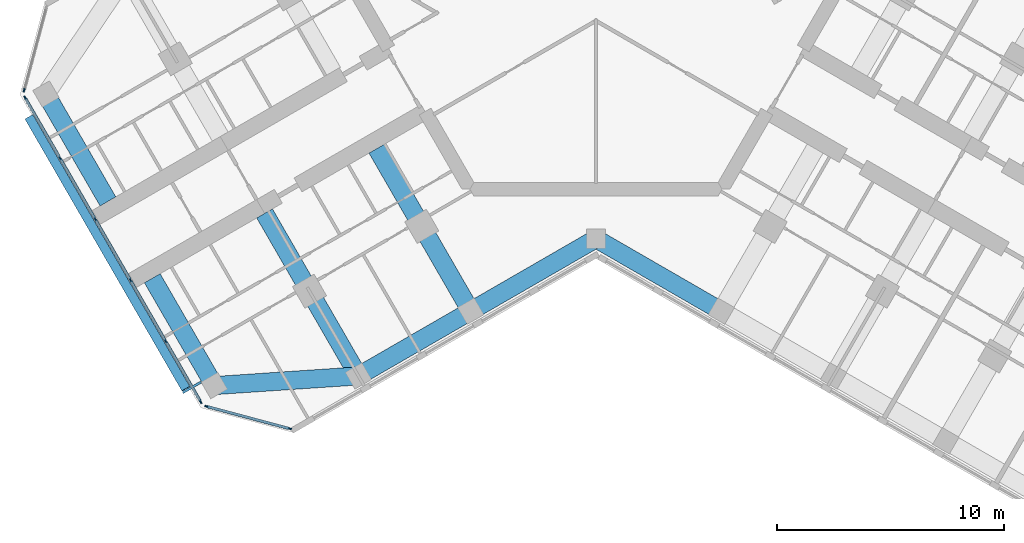
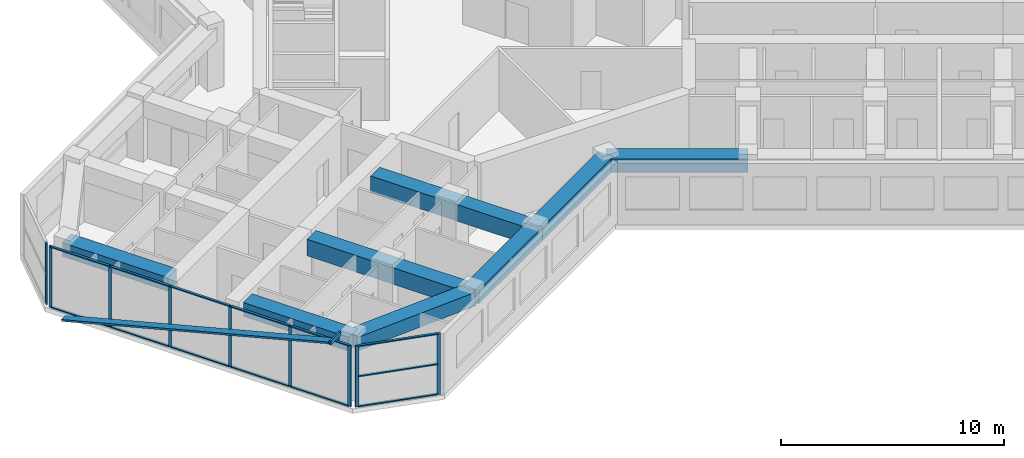
# One storey, part 2 of 16: 24 members, 8 beams, 3 elements without a shape of their own.
"""IFC4 building model written with IfcOpenShell, lengths in metres."""

from ifc_helpers import new_model, si_unit, direction, frame, origin, origin_2d, place, context, subcontext, project, spatial, rectangle, hollow_rectangle, extrude, material, material_profile, profile_set, type_object, element, aggregate, save


model = new_model("IFC4")

# Units and contexts
model_context = context("Model", 3, precision=1e-05, world=origin(), true_north=direction((0.0, 1.0)))
body_context = subcontext(model_context, "Body", "Model", "MODEL_VIEW")
ifc_project = project(units=[si_unit("LENGTHUNIT", "METRE"), si_unit("AREAUNIT", "SQUARE_METRE"), si_unit("VOLUMEUNIT", "CUBIC_METRE"), si_unit("PLANEANGLEUNIT", "RADIAN"), si_unit("MASSUNIT", "GRAM", prefix="KILO")], contexts=[model_context])

# Site, building, storey
site_placement = place(None, origin())
site = spatial("IfcSite", under=ifc_project, at=site_placement, CompositionType="ELEMENT")
building_placement = place(site_placement, origin())
building = spatial("IfcBuilding", under=site, at=building_placement, Name="Kosmar Iwan School Tower", CompositionType="ELEMENT")
storey_placement = place(building_placement, frame((0.0, 0.0, 238.800048828125)))
storey = spatial("IfcBuildingStorey", under=building, at=storey_placement, Name="L60", CompositionType="ELEMENT", Elevation=238.800048828125)

# Members
ifc_material_1 = material(Name="Black anodised aluminium", Category="aluminium")
ifc_material_profile_1 = material_profile(ifc_material_1, rectangle(XDim=0.10009765625, YDim=0.39990234375, at=origin_2d()), Name="FIN 100x400")
ifc_profile_set_1 = profile_set([ifc_material_profile_1], Name="Black anodised aluminium")
member_type_1 = type_object("IfcMemberType", Name="Diagonal fin 100x400", PredefinedType="USERDEFINED", material=ifc_profile_set_1)
member_1_placement = place(storey_placement, frame((-24.926513671875, -6.426025390625, -0.150146484375), z_axis=(0.483800388566, -0.837965217343, 0.2524905514), x_axis=(-0.126245460598, 0.218663124976, 0.96759935999)))
element("IfcMember", 1, at=member_1_placement, inside=storey, type_object=member_type_1, Name="Diagonal fin L60-F11", ObjectType="FIN", PredefinedType="USERDEFINED", context=body_context, shape_type="SweptSolid", body=[
    extrude(rectangle(XDim=0.10009765625, YDim=0.39990234375, at=origin_2d()), origin(), (0.0, 0.0, 1.0), 14.25830078125),
])
ifc_material_2 = material(Name="Steel S355", Category="steel")
ifc_material_profile_2 = material_profile(ifc_material_2, hollow_rectangle(XDim=0.10009765625, YDim=0.199951171875, WallThickness=0.008056640625, at=origin_2d()), Name="RHS 200x100x8")
ifc_profile_set_2 = profile_set([ifc_material_profile_2], Name="Steel S355")
member_type_2 = type_object("IfcMemberType", Name="Fin bracket RHS 200x100", PredefinedType="USERDEFINED", material=ifc_profile_set_2)
member_2_placement = place(storey_placement, frame((-17.362060546875, -18.078125, 3.474853515625), z_axis=(-0.866058118026, -0.49994333299, 0.0), x_axis=(0.49994333299, -0.866058118026, 0.0)))
element("IfcMember", 2, at=member_2_placement, inside=storey, type_object=member_type_2, Name="Fin bracket L61", ObjectType="FIN BRACKET", PredefinedType="USERDEFINED", context=body_context, shape_type="SweptSolid", body=[
    extrude(hollow_rectangle(XDim=0.10009765625, YDim=0.199951171875, WallThickness=0.008056640625, at=origin_2d()), origin(), (0.0, 0.0, 1.0), 0.9248046875),
])

# Curtain wall, member
ifc_material_3 = material(Name="Dark glass in black aluminium frame", Category="aluminium")
curtain_wall_type_1 = type_object("IfcCurtainWallType", Name="Chamfer curtain wall dark glass", PredefinedType="USERDEFINED", material=ifc_material_3)
curtain_wall_1_placement = place(storey_placement, origin())
curtain_wall_1 = element("IfcCurtainWall", 3, at=curtain_wall_1_placement, inside=storey, type_object=curtain_wall_type_1, Name="Curtain wall L60-F10", ObjectType="FACETED CURTAIN WALL", PredefinedType="USERDEFINED")
ifc_material_4 = material(Name="Black anodised aluminium", Category="aluminium")
ifc_material_profile_3 = material_profile(ifc_material_4, rectangle(XDim=0.06005859375, YDim=0.159912109375, at=origin_2d()), Name="MULLION 60x160")
ifc_profile_set_3 = profile_set([ifc_material_profile_3], Name="Black anodised aluminium")
member_type_3 = type_object("IfcMemberType", Name="Mullion 60x160", PredefinedType="MULLION", material=ifc_profile_set_3)
member_3_placement = place(storey_placement, frame((-25.141845703125, -5.24853515625, 0.0), z_axis=(0.0, 0.0, 1.0), x_axis=(0.965925875495, -0.258818861462, 0.0)))
member_3 = element("IfcMember", 4, at=member_3_placement, type_object=member_type_3, Name="CW2 mullion 2", PredefinedType="MULLION", context=body_context, shape_type="SweptSolid", body=[
    extrude(rectangle(XDim=0.06005859375, YDim=0.159912109375, at=origin_2d()), origin(), (0.0, 0.0, 1.0), 3.349853515625),
])
aggregate(curtain_wall_1, [member_3])

# Curtain wall, members
ifc_material_5 = material(Name="Dark glass in black aluminium frame", Category="aluminium")
curtain_wall_type_2 = type_object("IfcCurtainWallType", Name="Tower curtain wall dark glass", PredefinedType="USERDEFINED", material=ifc_material_5)
curtain_wall_2_placement = place(storey_placement, origin())
curtain_wall_2 = element("IfcCurtainWall", 5, at=curtain_wall_2_placement, inside=storey, type_object=curtain_wall_type_2, Name="Curtain wall L60-F11", ObjectType="UNITISED CURTAIN WALL", PredefinedType="USERDEFINED")
member_4_placement = place(storey_placement, frame((-25.098388671875, -5.578369140625, 0.0), z_axis=(0.0, 0.0, 1.0), x_axis=(0.866025405329, 0.499999997325, 0.0)))
member_4 = element("IfcMember", 6, at=member_4_placement, type_object=member_type_3, Name="CW1 mullion 1", PredefinedType="MULLION", context=body_context, shape_type="SweptSolid", body=[
    extrude(rectangle(XDim=0.06005859375, YDim=0.159912109375, at=origin_2d()), origin(), (0.0, 0.0, 1.0), 3.349853515625),
])
member_5_placement = place(storey_placement, frame((-23.563720703125, -8.236328125, 0.0), z_axis=(0.0, 0.0, 1.0), x_axis=(0.866025405329, 0.499999997325, 0.0)))
member_5 = element("IfcMember", 7, at=member_5_placement, type_object=member_type_3, Name="CW1 mullion 2", PredefinedType="MULLION", context=body_context, shape_type="SweptSolid", body=[
    extrude(rectangle(XDim=0.06005859375, YDim=0.159912109375, at=origin_2d()), origin(), (0.0, 0.0, 1.0), 3.349853515625),
])
member_6_placement = place(storey_placement, frame((-22.01416015625, -10.92041015625, 0.0), z_axis=(0.0, 0.0, 1.0), x_axis=(0.866025405329, 0.499999997325, 0.0)))
member_6 = element("IfcMember", 8, at=member_6_placement, type_object=member_type_3, Name="CW1 mullion 3", PredefinedType="MULLION", context=body_context, shape_type="SweptSolid", body=[
    extrude(rectangle(XDim=0.06005859375, YDim=0.159912109375, at=origin_2d()), origin(), (0.0, 0.0, 1.0), 3.349853515625),
])
member_7_placement = place(storey_placement, frame((-20.46435546875, -13.6044921875, 0.0), z_axis=(0.0, 0.0, 1.0), x_axis=(0.866025405329, 0.499999997325, 0.0)))
member_7 = element("IfcMember", 9, at=member_7_placement, type_object=member_type_3, Name="CW1 mullion 4", PredefinedType="MULLION", context=body_context, shape_type="SweptSolid", body=[
    extrude(rectangle(XDim=0.06005859375, YDim=0.159912109375, at=origin_2d()), origin(), (0.0, 0.0, 1.0), 3.349853515625),
])
member_8_placement = place(storey_placement, frame((-18.914794921875, -16.28857421875, 0.0), z_axis=(0.0, 0.0, 1.0), x_axis=(0.866025405329, 0.499999997325, 0.0)))
member_8 = element("IfcMember", 10, at=member_8_placement, type_object=member_type_3, Name="CW1 mullion 5", PredefinedType="MULLION", context=body_context, shape_type="SweptSolid", body=[
    extrude(rectangle(XDim=0.06005859375, YDim=0.159912109375, at=origin_2d()), origin(), (0.0, 0.0, 1.0), 3.349853515625),
])
member_9_placement = place(storey_placement, frame((-17.380126953125, -18.94677734375, 0.0), z_axis=(0.0, 0.0, 1.0), x_axis=(0.866025405329, 0.499999997325, 0.0)))
member_9 = element("IfcMember", 11, at=member_9_placement, type_object=member_type_3, Name="CW1 mullion 6", PredefinedType="MULLION", context=body_context, shape_type="SweptSolid", body=[
    extrude(rectangle(XDim=0.06005859375, YDim=0.159912109375, at=origin_2d()), origin(), (0.0, 0.0, 1.0), 3.349853515625),
])

curtain_wall_3_placement = place(storey_placement, origin())
curtain_wall_3 = element("IfcCurtainWall", 12, at=curtain_wall_3_placement, inside=storey, type_object=curtain_wall_type_1, Name="Curtain wall L60-F12", ObjectType="FACETED CURTAIN WALL", PredefinedType="USERDEFINED")
member_10_placement = place(storey_placement, frame((-17.1162109375, -19.149169921875, 0.0), z_axis=(0.0, 0.0, 1.0), x_axis=(0.258818861462, 0.965925875495, 0.0)))
member_10 = element("IfcMember", 13, at=member_10_placement, type_object=member_type_3, Name="CW2 mullion 1", PredefinedType="MULLION", context=body_context, shape_type="SweptSolid", body=[
    extrude(rectangle(XDim=0.06005859375, YDim=0.159912109375, at=origin_2d()), origin(), (0.0, 0.0, 1.0), 3.349853515625),
])
member_11_placement = place(storey_placement, frame((-13.466064453125, -20.127197265625, 0.0), z_axis=(0.0, 0.0, 1.0), x_axis=(0.258818861462, 0.965925875495, 0.0)))
member_11 = element("IfcMember", 14, at=member_11_placement, type_object=member_type_3, Name="CW2 mullion 2", PredefinedType="MULLION", context=body_context, shape_type="SweptSolid", body=[
    extrude(rectangle(XDim=0.06005859375, YDim=0.159912109375, at=origin_2d()), origin(), (0.0, 0.0, 1.0), 3.349853515625),
])

# Beams
ifc_material_6 = material(Name="Concrete C50/60", Category="concrete")
ifc_material_profile_4 = material_profile(ifc_material_6, rectangle(XDim=0.800048828125, YDim=0.75, at=origin_2d()), Name="RC 800x750")
ifc_profile_set_4 = profile_set([ifc_material_profile_4], Name="Concrete C50/60")
beam_type_1 = type_object("IfcBeamType", Name="RC edge beam 800x750", PredefinedType="BEAM", material=ifc_profile_set_4)
beam_1_placement = place(storey_placement, frame((0.0, -11.77783203125, 2.974853515625), z_axis=(-0.866014293216, -0.500019243575, 0.0), x_axis=(0.500019243575, -0.866014293216, 0.0)))
element("IfcBeam", 15, at=beam_1_placement, inside=storey, type_object=beam_type_1, Name="Edge beam BL1", PredefinedType="BEAM", context=body_context, shape_type="SweptSolid", body=[
    extrude(rectangle(XDim=0.800048828125, YDim=0.75, at=origin_2d()), origin(), (0.0, 0.0, 1.0), 6.361083984375),
])
beam_2_placement = place(storey_placement, frame((-5.5087890625, -14.95849609375, 2.974853515625), z_axis=(-0.866033658841, -0.49998570155, 0.0), x_axis=(0.49998570155, -0.866033658841, 0.0)))
element("IfcBeam", 16, at=beam_2_placement, inside=storey, type_object=beam_type_1, Name="Edge beam BL2", PredefinedType="BEAM", context=body_context, shape_type="SweptSolid", body=[
    extrude(rectangle(XDim=0.800048828125, YDim=0.75, at=origin_2d()), origin(), (0.0, 0.0, 1.0), 5.699951171875),
])
beam_3_placement = place(storey_placement, frame((0.0, -11.77783203125, 2.974853515625), z_axis=(0.866014293216, -0.500019243575, 0.0), x_axis=(0.500019243575, 0.866014293216, 0.0)))
element("IfcBeam", 17, at=beam_3_placement, inside=storey, type_object=beam_type_1, Name="Edge beam CR1", PredefinedType="BEAM", context=body_context, shape_type="SweptSolid", body=[
    extrude(rectangle(XDim=0.800048828125, YDim=0.75, at=origin_2d()), origin(), (0.0, 0.0, 1.0), 6.361083984375),
])
ifc_material_7 = material(Name="Concrete C50/60", Category="concrete")
ifc_material_profile_5 = material_profile(ifc_material_7, rectangle(XDim=0.800048828125, YDim=0.75, at=origin_2d()), Name="RC 800x750")
ifc_profile_set_5 = profile_set([ifc_material_profile_5], Name="Concrete C50/60")
beam_type_2 = type_object("IfcBeamType", Name="RC tip beam 800x750", PredefinedType="BEAM", material=ifc_profile_set_5)
beam_4_placement = place(storey_placement, frame((-10.445068359375, -17.808349609375, 2.974853515625), z_axis=(-0.997755118724, -0.066968074933, 0.0), x_axis=(0.066968074933, -0.997755118724, 0.0)))
element("IfcBeam", 18, at=beam_4_placement, inside=storey, type_object=beam_type_2, Name="Tip beam BL", PredefinedType="BEAM", context=body_context, shape_type="SweptSolid", body=[
    extrude(rectangle(XDim=0.800048828125, YDim=0.75, at=origin_2d()), origin(), (0.0, 0.0, 1.0), 6.3505859375),
])
beam_5_placement = place(storey_placement, frame((-16.781494140625, -18.233642578125, 2.974853515625), z_axis=(-0.500002931134, 0.866023711487, 0.0), x_axis=(-0.866023711487, -0.500002931134, 0.0)))
element("IfcBeam", 19, at=beam_5_placement, inside=storey, type_object=beam_type_2, Name="Tip beam BL to corridor wall", PredefinedType="BEAM", context=body_context, shape_type="SweptSolid", body=[
    extrude(rectangle(XDim=0.800048828125, YDim=0.75, at=origin_2d()), origin(), (0.0, 0.0, 1.0), 5.4501953125),
])
beam_6_placement = place(storey_placement, frame((-24.181396484375, -5.41650390625, 2.974853515625), z_axis=(0.499988730927, -0.866031909889, 0.0), x_axis=(0.866031909889, 0.499988730927, 0.0)))
element("IfcBeam", 20, at=beam_6_placement, inside=storey, type_object=beam_type_2, Name="Tip beam BR to corridor wall", PredefinedType="BEAM", context=body_context, shape_type="SweptSolid", body=[
    extrude(rectangle(XDim=0.800048828125, YDim=0.75, at=origin_2d()), origin(), (0.0, 0.0, 1.0), 5.449951171875),
])
ifc_material_8 = material(Name="Concrete C50/60", Category="concrete")
ifc_material_profile_6 = material_profile(ifc_material_8, rectangle(XDim=0.800048828125, YDim=0.89990234375, at=origin_2d()), Name="RC 800x900")
ifc_profile_set_6 = profile_set([ifc_material_profile_6], Name="Concrete C50/60")
beam_type_3 = type_object("IfcBeamType", Name="RC transverse beam 800x900", PredefinedType="BEAM", material=ifc_profile_set_6)
beam_7_placement = place(storey_placement, frame((-5.5087890625, -14.95849609375, 2.89990234375), z_axis=(-0.499996545922, 0.866027397988, 0.0), x_axis=(-0.866027397988, -0.499996545922, 0.0)))
element("IfcBeam", 21, at=beam_7_placement, inside=storey, type_object=beam_type_3, Name="Transverse beam BL1", PredefinedType="BEAM", context=body_context, shape_type="SweptSolid", body=[
    extrude(rectangle(XDim=0.800048828125, YDim=0.89990234375, at=origin_2d()), origin(), (0.0, 0.0, 1.0), 8.25),
])
beam_8_placement = place(storey_placement, frame((-10.445068359375, -17.808349609375, 2.89990234375), z_axis=(-0.500009360108, 0.866019999656, 0.0), x_axis=(-0.866019999656, -0.500009360108, 0.0)))
element("IfcBeam", 22, at=beam_8_placement, inside=storey, type_object=beam_type_3, Name="Transverse beam BL2", PredefinedType="BEAM", context=body_context, shape_type="SweptSolid", body=[
    extrude(rectangle(XDim=0.800048828125, YDim=0.89990234375, at=origin_2d()), origin(), (0.0, 0.0, 1.0), 8.249755859375),
])

# Member
ifc_material_9 = material(Name="Black anodised aluminium", Category="aluminium")
ifc_material_profile_7 = material_profile(ifc_material_9, rectangle(XDim=0.1201171875, YDim=0.06005859375, at=origin_2d()), Name="TRANSOM 60x120")
ifc_profile_set_7 = profile_set([ifc_material_profile_7], Name="Black anodised aluminium")
member_type_4 = type_object("IfcMemberType", Name="Transom 60x120", PredefinedType="USERDEFINED", material=ifc_profile_set_7)
member_12_placement = place(storey_placement, frame((-25.08349609375, -5.604248046875, 0.030029296875), z_axis=(0.499986971506, -0.866032925658, 0.0), x_axis=(0.866032925658, 0.499986971506, 0.0)))
member_12 = element("IfcMember", 23, at=member_12_placement, type_object=member_type_4, Name="CW1 transom 1.1", ObjectType="TRANSOM", PredefinedType="USERDEFINED", context=body_context, shape_type="SweptSolid", body=[
    extrude(rectangle(XDim=0.1201171875, YDim=0.06005859375, at=origin_2d()), origin(), (0.0, 0.0, 1.0), 3.00927734375),
])

member_13_placement = place(storey_placement, frame((-25.08349609375, -5.604248046875, 3.320068359375), z_axis=(0.499986971506, -0.866032925658, 0.0), x_axis=(0.866032925658, 0.499986971506, 0.0)))
member_13 = element("IfcMember", 24, at=member_13_placement, type_object=member_type_4, Name="CW1 transom 1.2", ObjectType="TRANSOM", PredefinedType="USERDEFINED", context=body_context, shape_type="SweptSolid", body=[
    extrude(rectangle(XDim=0.1201171875, YDim=0.06005859375, at=origin_2d()), origin(), (0.0, 0.0, 1.0), 3.00927734375),
])

member_14_placement = place(storey_placement, frame((-23.548828125, -8.262451171875, 0.030029296875), z_axis=(0.500035348339, -0.866004994449, 0.0), x_axis=(0.866004994449, 0.500035348339, 0.0)))
member_14 = element("IfcMember", 25, at=member_14_placement, type_object=member_type_4, Name="CW1 transom 2.1", ObjectType="TRANSOM", PredefinedType="USERDEFINED", context=body_context, shape_type="SweptSolid", body=[
    extrude(rectangle(XDim=0.1201171875, YDim=0.06005859375, at=origin_2d()), origin(), (0.0, 0.0, 1.0), 3.039306640625),
])

member_15_placement = place(storey_placement, frame((-23.548828125, -8.262451171875, 3.320068359375), z_axis=(0.500035348339, -0.866004994449, 0.0), x_axis=(0.866004994449, 0.500035348339, 0.0)))
member_15 = element("IfcMember", 26, at=member_15_placement, type_object=member_type_4, Name="CW1 transom 2.2", ObjectType="TRANSOM", PredefinedType="USERDEFINED", context=body_context, shape_type="SweptSolid", body=[
    extrude(rectangle(XDim=0.1201171875, YDim=0.06005859375, at=origin_2d()), origin(), (0.0, 0.0, 1.0), 3.039306640625),
])

member_16_placement = place(storey_placement, frame((-21.9990234375, -10.946533203125, 0.030029296875), z_axis=(0.499975102327, -0.866039777986, 0.0), x_axis=(0.866039777986, 0.499975102327, 0.0)))
member_16 = element("IfcMember", 27, at=member_16_placement, type_object=member_type_4, Name="CW1 transom 3.1", ObjectType="TRANSOM", PredefinedType="USERDEFINED", context=body_context, shape_type="SweptSolid", body=[
    extrude(rectangle(XDim=0.1201171875, YDim=0.06005859375, at=origin_2d()), origin(), (0.0, 0.0, 1.0), 3.039306640625),
])

member_17_placement = place(storey_placement, frame((-21.9990234375, -10.946533203125, 3.320068359375), z_axis=(0.499975102327, -0.866039777986, 0.0), x_axis=(0.866039777986, 0.499975102327, 0.0)))
member_17 = element("IfcMember", 28, at=member_17_placement, type_object=member_type_4, Name="CW1 transom 3.2", ObjectType="TRANSOM", PredefinedType="USERDEFINED", context=body_context, shape_type="SweptSolid", body=[
    extrude(rectangle(XDim=0.1201171875, YDim=0.06005859375, at=origin_2d()), origin(), (0.0, 0.0, 1.0), 3.039306640625),
])

member_18_placement = place(storey_placement, frame((-20.449462890625, -13.630615234375, 0.030029296875), z_axis=(0.500035348339, -0.866004994449, 0.0), x_axis=(0.866004994449, 0.500035348339, 0.0)))
member_18 = element("IfcMember", 29, at=member_18_placement, type_object=member_type_4, Name="CW1 transom 4.1", ObjectType="TRANSOM", PredefinedType="USERDEFINED", context=body_context, shape_type="SweptSolid", body=[
    extrude(rectangle(XDim=0.1201171875, YDim=0.06005859375, at=origin_2d()), origin(), (0.0, 0.0, 1.0), 3.039306640625),
])

member_19_placement = place(storey_placement, frame((-20.449462890625, -13.630615234375, 3.320068359375), z_axis=(0.500035348339, -0.866004994449, 0.0), x_axis=(0.866004994449, 0.500035348339, 0.0)))
member_19 = element("IfcMember", 30, at=member_19_placement, type_object=member_type_4, Name="CW1 transom 4.2", ObjectType="TRANSOM", PredefinedType="USERDEFINED", context=body_context, shape_type="SweptSolid", body=[
    extrude(rectangle(XDim=0.1201171875, YDim=0.06005859375, at=origin_2d()), origin(), (0.0, 0.0, 1.0), 3.039306640625),
])

member_20_placement = place(storey_placement, frame((-18.89990234375, -16.314697265625, 0.030029296875), z_axis=(0.500022102064, -0.866012642776, 0.0), x_axis=(0.866012642776, 0.500022102064, 0.0)))
member_20 = element("IfcMember", 31, at=member_20_placement, type_object=member_type_4, Name="CW1 transom 5.1", ObjectType="TRANSOM", PredefinedType="USERDEFINED", context=body_context, shape_type="SweptSolid", body=[
    extrude(rectangle(XDim=0.1201171875, YDim=0.06005859375, at=origin_2d()), origin(), (0.0, 0.0, 1.0), 3.009033203125),
])

member_21_placement = place(storey_placement, frame((-18.89990234375, -16.314697265625, 3.320068359375), z_axis=(0.500022102064, -0.866012642776, 0.0), x_axis=(0.866012642776, 0.500022102064, 0.0)))
member_21 = element("IfcMember", 32, at=member_21_placement, type_object=member_type_4, Name="CW1 transom 5.2", ObjectType="TRANSOM", PredefinedType="USERDEFINED", context=body_context, shape_type="SweptSolid", body=[
    extrude(rectangle(XDim=0.1201171875, YDim=0.06005859375, at=origin_2d()), origin(), (0.0, 0.0, 1.0), 3.009033203125),
])

aggregate(curtain_wall_2, [member_4, member_5, member_6, member_7, member_8, member_9, member_12, member_13, member_14, member_15, member_16, member_17, member_18, member_19, member_20, member_21])

member_22_placement = place(storey_placement, frame((-17.08740234375, -19.156982421875, 0.030029296875), z_axis=(0.965940141052, -0.258765615768, 0.0), x_axis=(0.258765615768, 0.965940141052, 0.0)))
member_22 = element("IfcMember", 33, at=member_22_placement, type_object=member_type_4, Name="CW2 transom 1.1", ObjectType="TRANSOM", PredefinedType="USERDEFINED", context=body_context, shape_type="SweptSolid", body=[
    extrude(rectangle(XDim=0.1201171875, YDim=0.06005859375, at=origin_2d()), origin(), (0.0, 0.0, 1.0), 3.71923828125),
])

member_23_placement = place(storey_placement, frame((-17.08740234375, -19.156982421875, 1.675048828125), z_axis=(0.965940141052, -0.258765615768, 0.0), x_axis=(0.258765615768, 0.965940141052, 0.0)))
member_23 = element("IfcMember", 34, at=member_23_placement, type_object=member_type_4, Name="CW2 transom 1.2", ObjectType="TRANSOM", PredefinedType="USERDEFINED", context=body_context, shape_type="SweptSolid", body=[
    extrude(rectangle(XDim=0.1201171875, YDim=0.06005859375, at=origin_2d()), origin(), (0.0, 0.0, 1.0), 3.71923828125),
])

member_24_placement = place(storey_placement, frame((-17.08740234375, -19.156982421875, 3.320068359375), z_axis=(0.965940141052, -0.258765615768, 0.0), x_axis=(0.258765615768, 0.965940141052, 0.0)))
member_24 = element("IfcMember", 35, at=member_24_placement, type_object=member_type_4, Name="CW2 transom 1.3", ObjectType="TRANSOM", PredefinedType="USERDEFINED", context=body_context, shape_type="SweptSolid", body=[
    extrude(rectangle(XDim=0.1201171875, YDim=0.06005859375, at=origin_2d()), origin(), (0.0, 0.0, 1.0), 3.71923828125),
])

aggregate(curtain_wall_3, [member_10, member_11, member_22, member_23, member_24])

save(model, "model.ifc")
